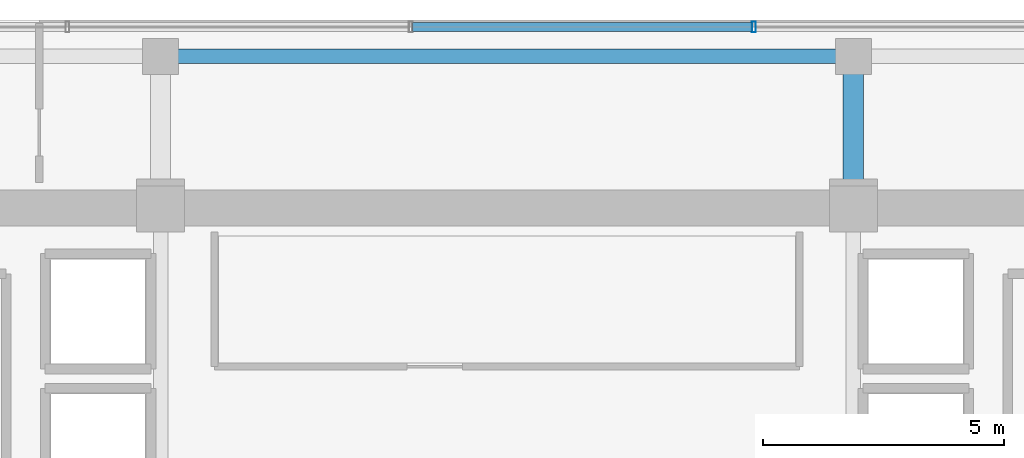
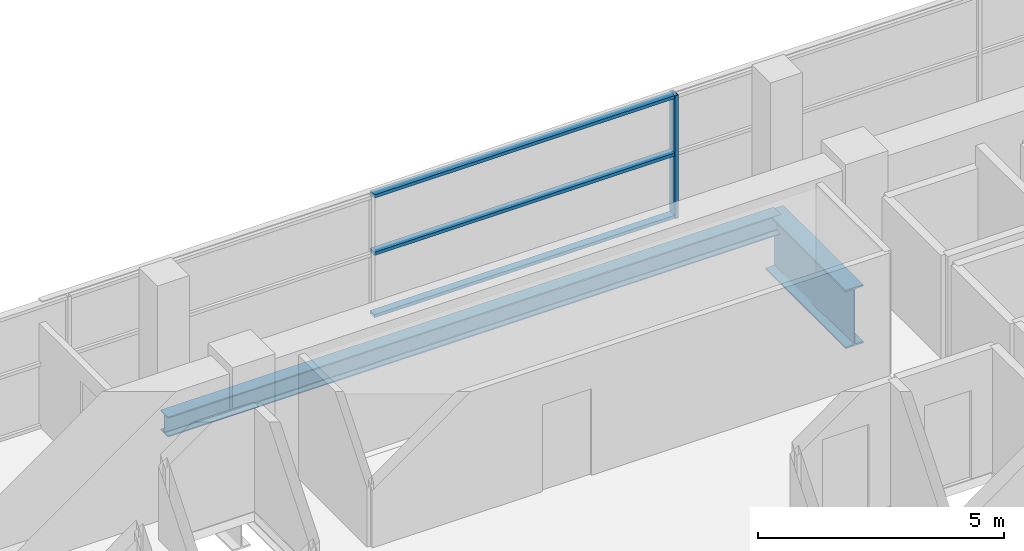
# One storey, part 12 of 23: 4 members, 2 beams, 1 element without a shape of its own.
"""IFC4 building model written with IfcOpenShell, lengths in metres."""

from ifc_helpers import new_model, si_unit, direction, frame, origin, origin_2d, place, context, subcontext, project, spatial, hollow_rectangle, i_section, extrude, source, transform, mapped, material, layer, layer_set, material_profile, profile_set, type_object, element, aggregate, save


model = new_model("IFC4")

# Units and contexts
model_context = context("Model", 3, precision=1e-05, world=origin(), true_north=direction((0.0, 1.0)))
body_context = subcontext(model_context, "Body", "Model", "MODEL_VIEW")
ifc_project = project(units=[si_unit("LENGTHUNIT", "METRE"), si_unit("AREAUNIT", "SQUARE_METRE"), si_unit("VOLUMEUNIT", "CUBIC_METRE"), si_unit("PLANEANGLEUNIT", "RADIAN"), si_unit("MASSUNIT", "GRAM", prefix="KILO")], contexts=[model_context])

# Site, building, storey
site_placement = place(None, origin())
site = spatial("IfcSite", under=ifc_project, at=site_placement, CompositionType="ELEMENT")
building_placement = place(site_placement, origin())
building = spatial("IfcBuilding", under=site, at=building_placement, Name="Zarnakvel Exchange Tower", CompositionType="ELEMENT")
storey_placement = place(building_placement, frame((0.0, 0.0, 146.199951171875)))
storey = spatial("IfcBuildingStorey", under=building, at=storey_placement, Name="L40", CompositionType="ELEMENT", Elevation=146.199951171875)

# Beams
ifc_material_1 = material(Name="Steel S355", Category="steel")
ifc_material_profile_1 = material_profile(ifc_material_1, i_section(OverallWidth=0.300048828125, OverallDepth=0.5, WebThickness=0.014404296875, FlangeThickness=0.028076171875, FilletRadius=0.027099609375, at=origin_2d()))
ifc_profile_set_1 = profile_set([ifc_material_profile_1], Name="Steel S355")
beam_type_1 = type_object("IfcBeamType", Name="SP-02", PredefinedType="SPANDREL", material=ifc_profile_set_1)
beam_1_placement = place(storey_placement, frame((-7.199951171875, 16.64990234375, -0.474853515625), z_axis=(1.0, 0.0, 0.0), x_axis=(0.0, 1.0, 0.0)))
element("IfcBeam", 1, at=beam_1_placement, inside=storey, type_object=beam_type_1, Name="L40 Tower E-W Frame Beam", PredefinedType="SPANDREL", context=body_context, shape_type="SweptSolid", body=[
    extrude(i_section(OverallWidth=0.300048828125, OverallDepth=0.5, WebThickness=0.014404296875, FlangeThickness=0.028076171875, FilletRadius=0.027099609375, at=origin_2d()), origin(), (0.0, 0.0, 1.0), 14.39990234375),
])
ifc_material_2 = material(Name="Steel S460", Category="steel")
ifc_material_profile_2 = material_profile(ifc_material_2, i_section(OverallWidth=0.419921875, OverallDepth=1.449951171875, WebThickness=0.02392578125, FlangeThickness=0.0400390625, FilletRadius=0.030029296875, at=origin_2d()))
ifc_profile_set_2 = profile_set([ifc_material_profile_2], Name="Steel S460")
beam_type_2 = type_object("IfcBeamType", Name="TG-01", PredefinedType="BEAM", material=ifc_profile_set_2)
beam_2_placement = place(storey_placement, frame((7.199951171875, 13.5, -0.949951171875), z_axis=(0.0, 1.0, 0.0), x_axis=(-1.0, 0.0, 0.0)))
element("IfcBeam", 2, at=beam_2_placement, inside=storey, type_object=beam_type_2, Name="L40 Setback N-S Transfer Girder TN-8", PredefinedType="BEAM", context=body_context, shape_type="SweptSolid", body=[
    extrude(i_section(OverallWidth=0.419921875, OverallDepth=1.449951171875, WebThickness=0.02392578125, FlangeThickness=0.0400390625, FilletRadius=0.030029296875, at=origin_2d()), origin(), (0.0, 0.0, 1.0), 3.25),
])

# Curtain wall, members
ifc_material_3 = material(Name="Architectural Bronze Anodised Aluminium", Category="aluminium")
ifc_layer = layer(ifc_material_3, 0.219970703125)
ifc_layer_set = layer_set([ifc_layer], Name="Architectural Bronze Anodised Aluminium")
curtain_wall_type = type_object("IfcCurtainWallType", Name="CW-03", PredefinedType="NOTDEFINED", material=ifc_layer_set)
curtain_wall_placement = place(storey_placement, origin())
curtain_wall = element("IfcCurtainWall", 3, at=curtain_wall_placement, inside=storey, type_object=curtain_wall_type, Name="L40 Curtain Wall CW-L40-N1 (CW-03)", PredefinedType="NOTDEFINED")
ifc_material_profile_3 = material_profile(ifc_material_3, hollow_rectangle(XDim=0.219970703125, YDim=0.080078125, WallThickness=0.0048828125, at=origin_2d()))
ifc_profile_set_3 = profile_set([ifc_material_profile_3], Name="Architectural Bronze Anodised Aluminium")
member_type_1 = type_object("IfcMemberType", Name="CWM-03", PredefinedType="MULLION", material=ifc_profile_set_3)
shared_shape_1 = source(origin(), body_context, "Body", "SweptSolid", [
    extrude(hollow_rectangle(XDim=0.219970703125, YDim=0.080078125, WallThickness=0.0048828125, at=origin_2d()), origin(), (0.0, 0.0, 1.0), 3.054931640625),
])
member_1_placement = place(storey_placement, frame((5.13330078125, 17.260009765625, 0.0), z_axis=(0.0, 0.0, 1.0), x_axis=(0.0, 1.0, 0.0)))
member_1 = element("IfcMember", 4, at=member_1_placement, type_object=member_type_1, Name="CW-03 mullion 5", PredefinedType="MULLION", context=body_context, shape_type="MappedRepresentation", body=[
    mapped(shared_shape_1, transform((0.0, 0.0, 0.0), x_axis=(1.0, 0.0, 0.0), y_axis=(0.0, 1.0, 0.0), z_axis=(0.0, 0.0, 1.0), scale=1.0)),
])
ifc_material_profile_4 = material_profile(ifc_material_3, hollow_rectangle(XDim=0.179931640625, YDim=0.080078125, WallThickness=0.00390625, at=origin_2d()))
ifc_profile_set_4 = profile_set([ifc_material_profile_4], Name="Architectural Bronze Anodised Aluminium")
member_type_2 = type_object("IfcMemberType", Name="CWT-03", PredefinedType="USERDEFINED", material=ifc_profile_set_4)
shared_shape_2 = source(origin(), body_context, "Body", "SweptSolid", [
    extrude(hollow_rectangle(XDim=0.179931640625, YDim=0.080078125, WallThickness=0.00390625, at=origin_2d()), origin(), (0.0, 0.0, 1.0), 7.05322265625),
])
member_2_placement = place(storey_placement, frame((-1.9599609375, 17.260009765625, 0.0400390625), z_axis=(1.0, 0.0, 0.0), x_axis=(0.0, 1.0, 0.0)))
member_2 = element("IfcMember", 5, at=member_2_placement, type_object=member_type_2, Name="CW-03 transom 4.1", ObjectType="TRANSOM", PredefinedType="USERDEFINED", context=body_context, shape_type="MappedRepresentation", body=[
    mapped(shared_shape_2, transform((0.0, 0.0, 0.0), x_axis=(1.0, 0.0, 0.0), y_axis=(0.0, 1.0, 0.0), z_axis=(0.0, 0.0, 1.0), scale=1.0)),
])
member_3_placement = place(storey_placement, frame((-1.9599609375, 17.260009765625, 1.588623046875), z_axis=(1.0, 0.0, 0.0), x_axis=(0.0, 1.0, 0.0)))
member_3 = element("IfcMember", 6, at=member_3_placement, type_object=member_type_2, Name="CW-03 transom 4.2", ObjectType="TRANSOM", PredefinedType="USERDEFINED", context=body_context, shape_type="MappedRepresentation", body=[
    mapped(shared_shape_2, transform((0.0, 0.0, 0.0), x_axis=(1.0, 0.0, 0.0), y_axis=(0.0, 1.0, 0.0), z_axis=(0.0, 0.0, 1.0), scale=1.0)),
])
member_4_placement = place(storey_placement, frame((-1.9599609375, 17.260009765625, 3.01513671875), z_axis=(1.0, 0.0, 0.0), x_axis=(0.0, 1.0, 0.0)))
member_4 = element("IfcMember", 7, at=member_4_placement, type_object=member_type_2, Name="CW-03 transom 4.3", ObjectType="TRANSOM", PredefinedType="USERDEFINED", context=body_context, shape_type="MappedRepresentation", body=[
    mapped(shared_shape_2, transform((0.0, 0.0, 0.0), x_axis=(1.0, 0.0, 0.0), y_axis=(0.0, 1.0, 0.0), z_axis=(0.0, 0.0, 1.0), scale=1.0)),
])
aggregate(curtain_wall, [member_1, member_2, member_3, member_4])

save(model, "model.ifc")
